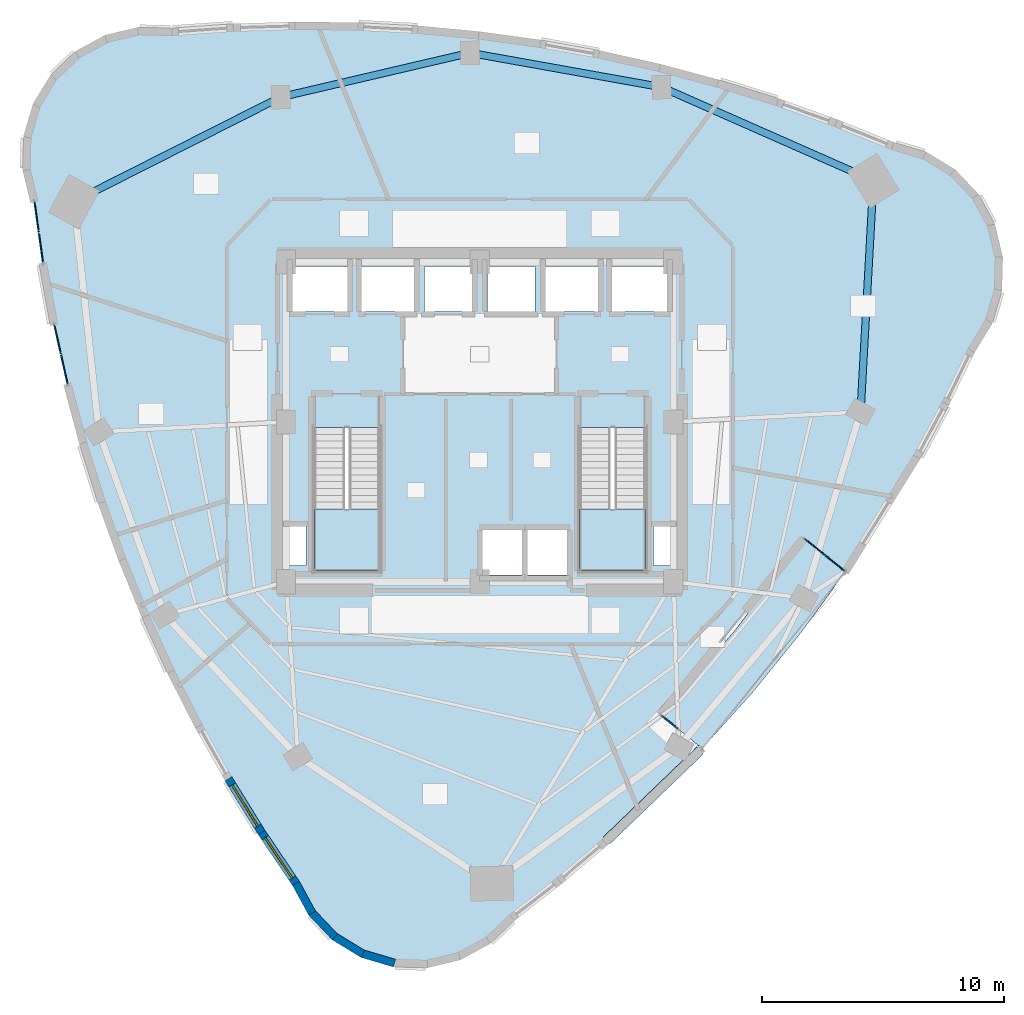
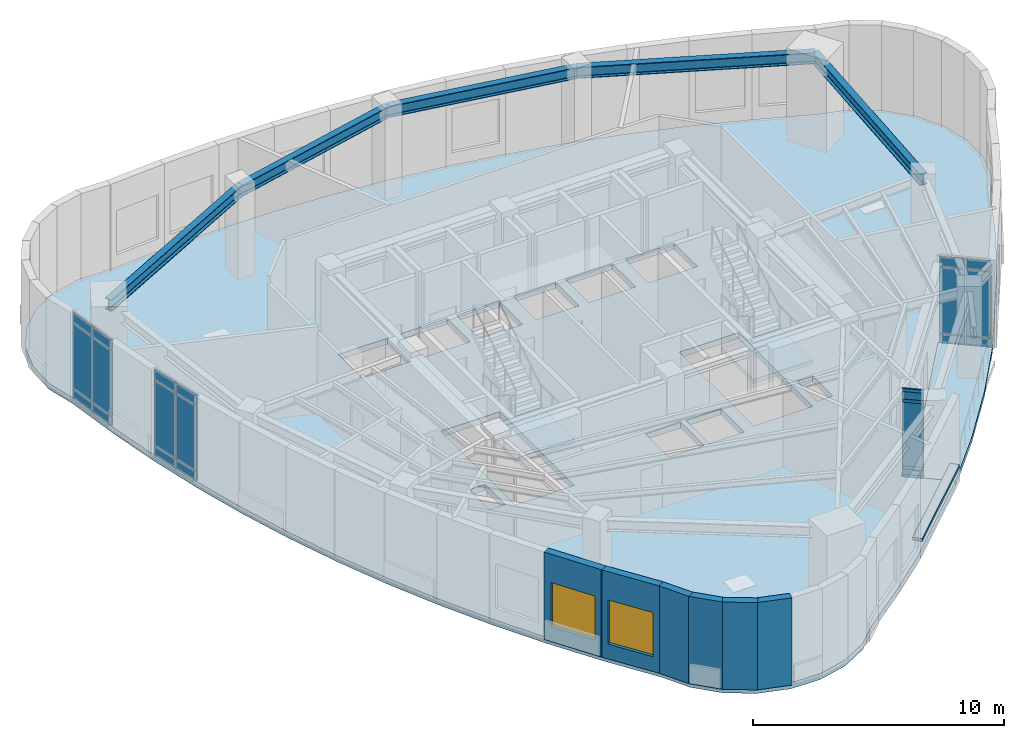
# One storey, part 7 of 14: 22 plates, 6 walls, 5 beams, 4 members, 4 slabs, 2 windows, 2 openings, 6 elements without a shape of their own.
"""IFC4 building model written with IfcOpenShell, lengths in metres."""

import ifcopenshell
import ifcopenshell.guid

model = None  # the IFC model being written
_history = None  # IfcOwnerHistory: only IFC2X3 demands one
_inside = {}  # id of a spatial element -> (the spatial element, [elements in it])
_under = {}  # id of a project, library or spatial element -> (it, [spatial elements below it])
_declared = {}  # id of a project -> (the project, [libraries it declares])
_typed = {}  # id of a type object -> (the type object, [elements of that type])
_made_of = {}  # id of a material, layer set ... -> (it, [elements and type objects made of it])


def new_model(schema):
    """Start an empty IFC model of exactly this schema.

    Asked for "IFC4X3", IfcOpenShell would pick the latest addendum, in which some entities
    have other attributes; the version numbers below select the first issue.
    IFC2X3 requires an IfcOwnerHistory on every rooted entity: one is made here for all.
    """
    global model, _history
    if schema == "IFC4X3":
        model = ifcopenshell.file(schema_version=(4, 3, 0, 0))
    else:
        model = ifcopenshell.file(schema=schema)
    _inside.clear()
    _under.clear()
    _declared.clear()
    _typed.clear()
    _made_of.clear()
    _history = None
    if model.schema == "IFC2X3":
        org = make("IfcOrganization", Name="unknown")
        user = make(
            "IfcPersonAndOrganization",
            ThePerson=make("IfcPerson", FamilyName="unknown"),
            TheOrganization=org,
        )
        app = make(
            "IfcApplication",
            ApplicationDeveloper=org,
            Version="unknown",
            ApplicationFullName="unknown",
            ApplicationIdentifier="unknown",
        )
        _history = make(
            "IfcOwnerHistory",
            OwningUser=user,
            OwningApplication=app,
            ChangeAction="ADDED",
            CreationDate=0,
        )
    return model


def make(cls, **values):
    """One entity of the class cls with the attributes given. An attribute that is None is left unset."""
    return model.create_entity(
        cls, **{name: value for name, value in values.items() if value is not None}
    )


def rooted(cls, **values):
    """An entity with a GlobalId (a new one), such as an element, a storey or a relation."""
    return make(cls, GlobalId=ifcopenshell.guid.new(), OwnerHistory=_history, **values)


def si_unit(unit_type, name, prefix=None):
    """IfcSIUnit, for example si_unit("LENGTHUNIT", "METRE", prefix="MILLI")."""
    return make("IfcSIUnit", UnitType=unit_type, Prefix=prefix, Name=name)


def assignment(units):
    """IfcUnitAssignment: the units of a project."""
    return None if units is None else make("IfcUnitAssignment", Units=units)


def point(xyz):
    """IfcCartesianPoint."""
    return None if xyz is None else make("IfcCartesianPoint", Coordinates=xyz)


def direction(xyz):
    """IfcDirection."""
    return None if xyz is None else make("IfcDirection", DirectionRatios=xyz)


def frame(location, z_axis=None, x_axis=None):
    """IfcAxis2Placement3D, a coordinate frame: its origin and axes. An axis left out is left unset."""
    return make(
        "IfcAxis2Placement3D",
        Location=point(location),
        Axis=direction(z_axis),
        RefDirection=direction(x_axis),
    )


def frame_2d(location, x_axis=None):
    """IfcAxis2Placement2D, a coordinate frame in the plane: its origin and x axis."""
    return make(
        "IfcAxis2Placement2D", Location=point(location), RefDirection=direction(x_axis)
    )


def origin():
    """The frame at (0, 0, 0) with its axes left unset."""
    return frame((0.0, 0.0, 0.0))


def origin_2d():
    """The frame at (0, 0) in the plane with its x axis left unset."""
    return frame_2d((0.0, 0.0))


def place(relative_to, where):
    """IfcLocalPlacement: puts the frame where relative to a parent placement (None: the world)."""
    return make(
        "IfcLocalPlacement", PlacementRelTo=relative_to, RelativePlacement=where
    )


def context(
    kind, dimensions, precision=None, world=None, true_north=None, identifier=None
):
    """IfcGeometricRepresentationContext, for example the 3D "Model" context."""
    return make(
        "IfcGeometricRepresentationContext",
        ContextIdentifier=identifier,
        ContextType=kind,
        CoordinateSpaceDimension=dimensions,
        Precision=precision,
        WorldCoordinateSystem=world,
        TrueNorth=true_north,
    )


def subcontext(parent, identifier, kind, view, scale=None):
    """IfcGeometricRepresentationSubContext, for example "Body" below "Model"."""
    return make(
        "IfcGeometricRepresentationSubContext",
        ContextIdentifier=identifier,
        ContextType=kind,
        ParentContext=parent,
        TargetScale=scale,
        TargetView=view,
    )


def project(units=None, contexts=None):
    """IfcProject with its units and contexts."""
    return rooted(
        "IfcProject",
        Name="project",
        RepresentationContexts=contexts,
        UnitsInContext=assignment(units),
    )


def spatial(cls, under=None, at=None, **own):
    """A site, building, storey or space (cls), placed at a placement, below another one or the project."""
    s = rooted(cls, ObjectPlacement=at, **own)
    if under is not None:
        _under.setdefault(under.id(), (under, []))[1].append(s)
    return s


def polyline(points):
    """IfcPolyline through the points."""
    return make("IfcPolyline", Points=[point(p) for p in points])


def profile(cls, at=None, kind="AREA", **sizes):
    """A parametric profile (cls). Its sizes go by their IFC names, for example OverallWidth=200.0."""
    return make(cls, ProfileType=kind, Position=at, **sizes)


def rectangle(**sizes):
    """IfcRectangleProfileDef."""
    return profile("IfcRectangleProfileDef", **sizes)


def hollow_rectangle(**sizes):
    """IfcRectangleHollowProfileDef."""
    return profile("IfcRectangleHollowProfileDef", **sizes)


def i_section(**sizes):
    """IfcIShapeProfileDef."""
    return profile("IfcIShapeProfileDef", **sizes)


def outline(outer, holes=None, kind="AREA"):
    """IfcArbitraryClosedProfileDef: a profile drawn as a closed curve; with holes, ...WithVoids."""
    if holes is None:
        return make("IfcArbitraryClosedProfileDef", ProfileType=kind, OuterCurve=outer)
    return make(
        "IfcArbitraryProfileDefWithVoids",
        ProfileType=kind,
        OuterCurve=outer,
        InnerCurves=holes,
    )


def extrude(swept, where, along, depth):
    """IfcExtrudedAreaSolid: the profile swept, set in the frame where, extruded along a direction by depth."""
    return make(
        "IfcExtrudedAreaSolid",
        SweptArea=swept,
        Position=where,
        ExtrudedDirection=direction(along),
        Depth=depth,
    )


def shape(context_of_items, identifier, shape_type, items):
    """IfcShapeRepresentation: the items that make up one representation, for example the "Body"."""
    return make(
        "IfcShapeRepresentation",
        ContextOfItems=context_of_items,
        RepresentationIdentifier=identifier,
        RepresentationType=shape_type,
        Items=items,
    )


def material(Name=None, Category=None):
    """IfcMaterial."""
    return make("IfcMaterial", Name=Name, Category=Category)


def layer(
    of_material, thickness, ventilated=None, Name=None, Category=None, Priority=None
):
    """IfcMaterialLayer: one layer of a wall or slab, of a material (None: an air gap)."""
    return make(
        "IfcMaterialLayer",
        Material=of_material,
        LayerThickness=thickness,
        IsVentilated=ventilated,
        Name=Name,
        Category=Category,
        Priority=Priority,
    )


def layer_set(layers, Name=None):
    """IfcMaterialLayerSet."""
    return make("IfcMaterialLayerSet", MaterialLayers=layers, LayerSetName=Name)


def material_profile(
    of_material, cross_section, Name=None, Category=None, Priority=None
):
    """IfcMaterialProfile: a cross section and its material."""
    return make(
        "IfcMaterialProfile",
        Name=Name,
        Material=of_material,
        Profile=cross_section,
        Priority=Priority,
        Category=Category,
    )


def profile_set(profiles, Name=None, composite=None):
    """IfcMaterialProfileSet."""
    return make(
        "IfcMaterialProfileSet",
        Name=Name,
        MaterialProfiles=profiles,
        CompositeProfile=composite,
    )


def made_of(thing, what):
    """Note that an element or type object is made of a material, layer set ...; save() writes the relation."""
    if what is not None:
        _made_of.setdefault(what.id(), (what, []))[1].append(thing)
    return thing


def type_object(cls, material=None, **own):
    """A type object (cls), such as IfcWallType, which elements share."""
    return made_of(rooted(cls, **own), material)


def element(
    cls,
    number,
    at=None,
    inside=None,
    cuts=None,
    type_object=None,
    material=None,
    context=None,
    identifier="Body",
    shape_type=None,
    held_by="IfcProductDefinitionShape",
    body=None,
    shapes=None,
    **own,
):
    """One element of the class cls, such as IfcWall. Its Tag is "e" and its number.

    at: its placement. inside: the storey or other place that contains it. cuts: it is an
    opening in that element (IfcRelVoidsElement). A single representation is given by context,
    identifier, shape_type and body (its items); several are given by shapes. held_by: the class
    of the entity that holds the representations. save() writes the other relations.
    """
    e = rooted(cls, Tag="e%d" % number, ObjectPlacement=at, **own)
    if body is not None:
        shapes = [shape(context, identifier, shape_type, body)]
    if shapes is not None:
        e.Representation = make(held_by, Representations=shapes)
    if inside is not None:
        _inside.setdefault(inside.id(), (inside, []))[1].append(e)
    if cuts is not None:
        rooted(
            "IfcRelVoidsElement", RelatingBuildingElement=cuts, RelatedOpeningElement=e
        )
    if type_object is not None:
        _typed.setdefault(type_object.id(), (type_object, []))[1].append(e)
    return made_of(e, material)


def fill(opening, filler):
    """IfcRelFillsElement: the door or window that sits in an opening."""
    return rooted(
        "IfcRelFillsElement",
        RelatingOpeningElement=opening,
        RelatedBuildingElement=filler,
    )


def aggregate(whole, parts):
    """IfcRelAggregates: a whole, such as a stair, and the parts it consists of."""
    return rooted("IfcRelAggregates", RelatingObject=whole, RelatedObjects=parts)


def save(model, path):
    """Write the relations noted so far, then the file.

    IfcRelAggregates (storeys below a building ...), IfcRelContainedInSpatialStructure (elements
    in a storey), IfcRelDefinesByType, IfcRelAssociatesMaterial and IfcRelDeclares: one each for
    every whole, place, type object, material and project.
    """
    for whole, parts in _under.values():
        aggregate(whole, parts)
    for where, things in _inside.values():
        rooted(
            "IfcRelContainedInSpatialStructure",
            RelatedElements=things,
            RelatingStructure=where,
        )
    for kind, things in _typed.values():
        rooted("IfcRelDefinesByType", RelatedObjects=things, RelatingType=kind)
    for what, things in _made_of.values():
        rooted("IfcRelAssociatesMaterial", RelatedObjects=things, RelatingMaterial=what)
    for by, libraries in _declared.values():
        rooted("IfcRelDeclares", RelatingContext=by, RelatedDefinitions=libraries)
    model.write(path)


model = new_model("IFC4")

# Units and contexts
model_context = context("Model", 3, precision=1e-05, world=origin(), true_north=direction((0.0, 1.0)))
body_context = subcontext(model_context, "Body", "Model", "MODEL_VIEW")
ifc_project = project(units=[si_unit("LENGTHUNIT", "METRE"), si_unit("AREAUNIT", "SQUARE_METRE"), si_unit("VOLUMEUNIT", "CUBIC_METRE"), si_unit("PLANEANGLEUNIT", "RADIAN"), si_unit("MASSUNIT", "GRAM", prefix="KILO")], contexts=[model_context])

# Site, building, storey
site_placement = place(None, origin())
site = spatial("IfcSite", under=ifc_project, at=site_placement, CompositionType="ELEMENT")
building_placement = place(site_placement, origin())
building = spatial("IfcBuilding", under=site, at=building_placement, Name="Ndelora Gate Hotel", CompositionType="ELEMENT")
storey_placement = place(building_placement, frame((0.0, 0.0, 178.25)))
storey = spatial("IfcBuildingStorey", under=building, at=storey_placement, Name="L44", CompositionType="ELEMENT", Elevation=178.25)

# Beams
ifc_material_1 = material(Name="Steel S355", Category="steel")
ifc_material_profile_1 = material_profile(ifc_material_1, i_section(OverallWidth=0.300048828125, OverallDepth=0.550048828125, WebThickness=0.014892578125, FlangeThickness=0.029052734375, FilletRadius=0.027099609375, at=origin_2d()), Name="HEB 550")
ifc_profile_set_1 = profile_set([ifc_material_profile_1], Name="Steel S355")
beam_type = type_object("IfcBeamType", Name="BM-RING-550", PredefinedType="SPANDREL", material=ifc_profile_set_1)
beam_1_placement = place(storey_placement, frame((15.72998046875, 0.411865234375, 3.97509765625), z_axis=(0.055426206248, 0.998462786318, 0.0), x_axis=(-0.998462786318, 0.055426206248, 0.0)))
element("IfcBeam", 1, at=beam_1_placement, inside=storey, type_object=beam_type, Name="L44 Perimeter Spandrel Girder 8", PredefinedType="SPANDREL", context=body_context, shape_type="SweptSolid", body=[
    extrude(i_section(OverallWidth=0.300048828125, OverallDepth=0.550048828125, WebThickness=0.014892578125, FlangeThickness=0.029052734375, FilletRadius=0.027099609375, at=origin_2d()), origin(), (0.0, 0.0, 1.0), 9.567138671875),
])
beam_2_placement = place(storey_placement, frame((16.26025390625, 9.96435546875, 3.97509765625), z_axis=(-0.914807449647, 0.403890245078, 0.0), x_axis=(-0.403890245078, -0.914807449647, 0.0)))
element("IfcBeam", 2, at=beam_2_placement, inside=storey, type_object=beam_type, Name="L44 Perimeter Spandrel Girder 9", PredefinedType="SPANDREL", context=body_context, shape_type="SweptSolid", body=[
    extrude(i_section(OverallWidth=0.300048828125, OverallDepth=0.550048828125, WebThickness=0.014892578125, FlangeThickness=0.029052734375, FilletRadius=0.027099609375, at=origin_2d()), origin(), (0.0, 0.0, 1.0), 9.56689453125),
])
for number, where, z_axis, x_axis, name in (
    (3, (7.50830078125, 13.828369140625, 3.97509765625), (-0.984373619655, 0.176092523767, 0.0), (-0.176092523767, -0.984373619655, 0.0), "L44 Perimeter Spandrel Girder 10"),
    (4, (-0.399169921875, 15.242919921875, 3.97509765625), (-0.973809142107, -0.227367004529, 0.0), (0.227367004529, -0.973809142107, 0.0), "L44 Perimeter Spandrel Girder 11"),
):
    element("IfcBeam", number, at=place(storey_placement, frame(where, z_axis=z_axis, x_axis=x_axis)), inside=storey, type_object=beam_type, Name=name, PredefinedType="SPANDREL", context=body_context, shape_type="SweptSolid", body=[
        extrude(i_section(OverallWidth=0.300048828125, OverallDepth=0.550048828125, WebThickness=0.014892578125, FlangeThickness=0.029052734375, FilletRadius=0.027099609375, at=origin_2d()), origin(), (0.0, 0.0, 1.0), 8.032958984375),
    ])
beam_3_placement = place(storey_placement, frame((-8.2216796875, 13.41650390625, 3.97509765625), z_axis=(-0.89241242978, -0.451220628045, 0.0), x_axis=(0.451220628045, -0.89241242978, 0.0)))
element("IfcBeam", 5, at=beam_3_placement, inside=storey, type_object=beam_type, Name="L44 Perimeter Spandrel Girder 12", PredefinedType="SPANDREL", context=body_context, shape_type="SweptSolid", body=[
    extrude(i_section(OverallWidth=0.300048828125, OverallDepth=0.550048828125, WebThickness=0.014892578125, FlangeThickness=0.029052734375, FilletRadius=0.027099609375, at=origin_2d()), origin(), (0.0, 0.0, 1.0), 9.567138671875),
])

# Curtain wall, members, plates
ifc_material_2 = material(Name="Bronze Anodised Unitised Aluminium and Low-E Glass", Category="aluminium")
ifc_layer_1 = layer(ifc_material_2, 0.199951171875)
ifc_layer_set_1 = layer_set([ifc_layer_1], Name="Bronze Anodised Unitised Aluminium and Low-E Glass")
curtain_wall_type_1 = type_object("IfcCurtainWallType", Name="CW-SYS-3", PredefinedType="NOTDEFINED", material=ifc_layer_set_1)
curtain_wall_1_placement = place(storey_placement, origin())
curtain_wall_1 = element("IfcCurtainWall", 6, at=curtain_wall_1_placement, inside=storey, type_object=curtain_wall_type_1, Name="L44 Sky-Garden Loggia Side Curtain Wall CW3-1", PredefinedType="NOTDEFINED")
ifc_material_3 = material(Name="Bronze Anodised Aluminium 6063-T6", Category="aluminium")
ifc_material_profile_2 = material_profile(ifc_material_3, hollow_rectangle(XDim=0.06494140625, YDim=0.159912109375, WallThickness=0.00390625, InnerFilletRadius=0.00390625, OuterFilletRadius=0.008056640625, at=origin_2d()), Name="ALU 160x65x4")
ifc_profile_set_2 = profile_set([ifc_material_profile_2], Name="Bronze Anodised Aluminium 6063-T6")
member_type = type_object("IfcMemberType", Name="MB-CW-TRN150", PredefinedType="USERDEFINED", material=ifc_profile_set_2)
member_1_placement = place(storey_placement, frame((7.525146484375, -12.141357421875, 0.032470703125), z_axis=(0.777004832302, -0.629494631096, 0.0), x_axis=(0.629494631096, 0.777004832302, 0.0)))
member_1 = element("IfcMember", 7, at=member_1_placement, type_object=member_type, Name="CW3 transom 1.1", ObjectType="TRANSOM", PredefinedType="USERDEFINED", context=body_context, shape_type="SweptSolid", body=[
    extrude(hollow_rectangle(XDim=0.06494140625, YDim=0.159912109375, WallThickness=0.00390625, InnerFilletRadius=0.00390625, OuterFilletRadius=0.008056640625, at=origin_2d()), origin(), (0.0, 0.0, 1.0), 0.8291015625),
])
member_2_placement = place(storey_placement, frame((7.525146484375, -12.141357421875, 0.449951171875), z_axis=(0.777004832302, -0.629494631096, 0.0), x_axis=(0.629494631096, 0.777004832302, 0.0)))
member_2 = element("IfcMember", 8, at=member_2_placement, type_object=member_type, Name="CW3 transom 1.2", ObjectType="TRANSOM", PredefinedType="USERDEFINED", context=body_context, shape_type="SweptSolid", body=[
    extrude(hollow_rectangle(XDim=0.06494140625, YDim=0.159912109375, WallThickness=0.00390625, InnerFilletRadius=0.00390625, OuterFilletRadius=0.008056640625, at=origin_2d()), origin(), (0.0, 0.0, 1.0), 0.8291015625),
])
member_3_placement = place(storey_placement, frame((7.525146484375, -12.141357421875, 3.699951171875), z_axis=(0.777004832302, -0.629494631096, 0.0), x_axis=(0.629494631096, 0.777004832302, 0.0)))
member_3 = element("IfcMember", 9, at=member_3_placement, type_object=member_type, Name="CW3 transom 1.3", ObjectType="TRANSOM", PredefinedType="USERDEFINED", context=body_context, shape_type="SweptSolid", body=[
    extrude(hollow_rectangle(XDim=0.06494140625, YDim=0.159912109375, WallThickness=0.00390625, InnerFilletRadius=0.00390625, OuterFilletRadius=0.008056640625, at=origin_2d()), origin(), (0.0, 0.0, 1.0), 0.8291015625),
])
member_4_placement = place(storey_placement, frame((7.525146484375, -12.141357421875, 4.217529296875), z_axis=(0.777004832302, -0.629494631096, 0.0), x_axis=(0.629494631096, 0.777004832302, 0.0)))
member_4 = element("IfcMember", 10, at=member_4_placement, type_object=member_type, Name="CW3 transom 1.4", ObjectType="TRANSOM", PredefinedType="USERDEFINED", context=body_context, shape_type="SweptSolid", body=[
    extrude(hollow_rectangle(XDim=0.06494140625, YDim=0.159912109375, WallThickness=0.00390625, InnerFilletRadius=0.00390625, OuterFilletRadius=0.008056640625, at=origin_2d()), origin(), (0.0, 0.0, 1.0), 0.8291015625),
])
ifc_material_4 = material(Name="Solar-Control Low-E Insulated Glazing", Category="glass")
ifc_layer_2 = layer(ifc_material_4, 0.048095703125)
ifc_layer_set_2 = layer_set([ifc_layer_2], Name="Solar-Control Low-E Insulated Glazing")
plate_type_1 = type_object("IfcPlateType", Name="PL-CW-GLZ36", PredefinedType="CURTAIN_PANEL", material=ifc_layer_set_2)
plate_1_placement = place(storey_placement, frame((7.84716796875, -12.40234375, 0.05908203125), z_axis=(0.0, 0.0, 1.0), x_axis=(0.777136681124, -0.629331851134, 0.0)))
plate_1 = element("IfcPlate", 11, at=plate_1_placement, type_object=plate_type_1, Name="CW3 panel 1.1", PredefinedType="CURTAIN_PANEL", context=body_context, shape_type="SweptSolid", body=[
    extrude(rectangle(XDim=0.8291015625, YDim=0.048095703125, at=origin_2d()), origin(), (0.0, 0.0, 1.0), 0.364501953125),
])
plate_2_placement = place(storey_placement, frame((7.84716796875, -12.40234375, 0.4765625), z_axis=(0.0, 0.0, 1.0), x_axis=(0.777136681124, -0.629331851134, 0.0)))
plate_2 = element("IfcPlate", 12, at=plate_2_placement, type_object=plate_type_1, Name="CW3 panel 1.2", PredefinedType="CURTAIN_PANEL", context=body_context, shape_type="SweptSolid", body=[
    extrude(rectangle(XDim=0.8291015625, YDim=0.048095703125, at=origin_2d()), origin(), (0.0, 0.0, 1.0), 3.197021484375),
])
plate_3_placement = place(storey_placement, frame((7.84716796875, -12.40234375, 3.7265625), z_axis=(0.0, 0.0, 1.0), x_axis=(0.777136681124, -0.629331851134, 0.0)))
plate_3 = element("IfcPlate", 13, at=plate_3_placement, type_object=plate_type_1, Name="CW3 panel 1.3", PredefinedType="CURTAIN_PANEL", context=body_context, shape_type="SweptSolid", body=[
    extrude(rectangle(XDim=0.8291015625, YDim=0.048095703125, at=origin_2d()), origin(), (0.0, 0.0, 1.0), 0.464599609375),
])
aggregate(curtain_wall_1, [member_1, member_2, member_3, member_4, plate_1, plate_2, plate_3])

# Curtain wall, plates
curtain_wall_2_placement = place(storey_placement, origin())
curtain_wall_2 = element("IfcCurtainWall", 14, at=curtain_wall_2_placement, inside=storey, type_object=curtain_wall_type_1, Name="L44 Sky-Garden Loggia Side Curtain Wall CW3-2", PredefinedType="NOTDEFINED")
plate_4_placement = place(storey_placement, frame((14.66455078125, -5.8271484375, 0.05908203125), z_axis=(0.0, 0.0, 1.0), x_axis=(-0.77714324074, 0.629323750841, 0.0)))
plate_4 = element("IfcPlate", 15, at=plate_4_placement, type_object=plate_type_1, Name="CW3 panel 1.1", PredefinedType="CURTAIN_PANEL", context=body_context, shape_type="SweptSolid", body=[
    extrude(rectangle(XDim=1.014404296875, YDim=0.048095703125, at=origin_2d()), origin(), (0.0, 0.0, 1.0), 0.364501953125),
])
plate_5_placement = place(storey_placement, frame((14.66455078125, -5.8271484375, 0.4765625), z_axis=(0.0, 0.0, 1.0), x_axis=(-0.77714324074, 0.629323750841, 0.0)))
plate_5 = element("IfcPlate", 16, at=plate_5_placement, type_object=plate_type_1, Name="CW3 panel 1.2", PredefinedType="CURTAIN_PANEL", context=body_context, shape_type="SweptSolid", body=[
    extrude(rectangle(XDim=1.014404296875, YDim=0.048095703125, at=origin_2d()), origin(), (0.0, 0.0, 1.0), 3.197021484375),
])
plate_6_placement = place(storey_placement, frame((14.66455078125, -5.8271484375, 3.7265625), z_axis=(0.0, 0.0, 1.0), x_axis=(-0.77714324074, 0.629323750841, 0.0)))
plate_6 = element("IfcPlate", 17, at=plate_6_placement, type_object=plate_type_1, Name="CW3 panel 1.3", PredefinedType="CURTAIN_PANEL", context=body_context, shape_type="SweptSolid", body=[
    extrude(rectangle(XDim=1.014404296875, YDim=0.048095703125, at=origin_2d()), origin(), (0.0, 0.0, 1.0), 0.464599609375),
])
plate_7_placement = place(storey_placement, frame((13.8349609375, -5.155517578125, 0.05908203125), z_axis=(0.0, 0.0, 1.0), x_axis=(-0.77714324074, 0.629323750841, 0.0)))
plate_7 = element("IfcPlate", 18, at=plate_7_placement, type_object=plate_type_1, Name="CW3 panel 2.1", PredefinedType="CURTAIN_PANEL", context=body_context, shape_type="SweptSolid", body=[
    extrude(rectangle(XDim=1.014404296875, YDim=0.048095703125, at=origin_2d()), origin(), (0.0, 0.0, 1.0), 0.364501953125),
])
plate_8_placement = place(storey_placement, frame((13.8349609375, -5.155517578125, 0.4765625), z_axis=(0.0, 0.0, 1.0), x_axis=(-0.77714324074, 0.629323750841, 0.0)))
plate_8 = element("IfcPlate", 19, at=plate_8_placement, type_object=plate_type_1, Name="CW3 panel 2.2", PredefinedType="CURTAIN_PANEL", context=body_context, shape_type="SweptSolid", body=[
    extrude(rectangle(XDim=1.014404296875, YDim=0.048095703125, at=origin_2d()), origin(), (0.0, 0.0, 1.0), 3.197021484375),
])
plate_9_placement = place(storey_placement, frame((13.8349609375, -5.155517578125, 3.7265625), z_axis=(0.0, 0.0, 1.0), x_axis=(-0.77714324074, 0.629323750841, 0.0)))
plate_9 = element("IfcPlate", 20, at=plate_9_placement, type_object=plate_type_1, Name="CW3 panel 2.3", PredefinedType="CURTAIN_PANEL", context=body_context, shape_type="SweptSolid", body=[
    extrude(rectangle(XDim=1.014404296875, YDim=0.048095703125, at=origin_2d()), origin(), (0.0, 0.0, 1.0), 0.464599609375),
])
aggregate(curtain_wall_2, [plate_4, plate_5, plate_6, plate_7, plate_8, plate_9])

ifc_layer_3 = layer(ifc_material_2, 0.2099609375)
ifc_layer_set_3 = layer_set([ifc_layer_3], Name="Bronze Anodised Unitised Aluminium and Low-E Glass")
curtain_wall_type_2 = type_object("IfcCurtainWallType", Name="CW-SYS-5", PredefinedType="NOTDEFINED", material=ifc_layer_set_3)
curtain_wall_3_placement = place(storey_placement, origin())
curtain_wall_3 = element("IfcCurtainWall", 21, at=curtain_wall_3_placement, inside=storey, type_object=curtain_wall_type_2, Name="L44 Upper Sky-Lobby & Altitude Fitness Curtain Wall 1", PredefinedType="NOTDEFINED")
plate_10_placement = place(storey_placement, frame((-18.30810546875, 8.459228515625, 0.05908203125), z_axis=(0.0, 0.0, 1.0), x_axis=(0.13925833792, -0.990256085727, 0.0)))
plate_10 = element("IfcPlate", 22, at=plate_10_placement, type_object=plate_type_1, Name="CW5 panel 1.1", PredefinedType="CURTAIN_PANEL", context=body_context, shape_type="SweptSolid", body=[
    extrude(rectangle(XDim=1.225341796875, YDim=0.048095703125, at=origin_2d()), origin(), (0.0, 0.0, 1.0), 0.41455078125),
])
plate_11_placement = place(storey_placement, frame((-18.30810546875, 8.459228515625, 0.526611328125), z_axis=(0.0, 0.0, 1.0), x_axis=(0.13925833792, -0.990256085727, 0.0)))
plate_11 = element("IfcPlate", 23, at=plate_11_placement, type_object=plate_type_1, Name="CW5 panel 1.2", PredefinedType="CURTAIN_PANEL", context=body_context, shape_type="SweptSolid", body=[
    extrude(rectangle(XDim=1.225341796875, YDim=0.048095703125, at=origin_2d()), origin(), (0.0, 0.0, 1.0), 3.14697265625),
])
plate_12_placement = place(storey_placement, frame((-18.30810546875, 8.459228515625, 3.7265625), z_axis=(0.0, 0.0, 1.0), x_axis=(0.13925833792, -0.990256085727, 0.0)))
plate_12 = element("IfcPlate", 24, at=plate_12_placement, type_object=plate_type_1, Name="CW5 panel 1.3", PredefinedType="CURTAIN_PANEL", context=body_context, shape_type="SweptSolid", body=[
    extrude(rectangle(XDim=1.225341796875, YDim=0.048095703125, at=origin_2d()), origin(), (0.0, 0.0, 1.0), 0.464599609375),
])
plate_13_placement = place(storey_placement, frame((-18.130126953125, 7.193359375, 0.05908203125), z_axis=(0.0, 0.0, 1.0), x_axis=(0.13925833792, -0.990256085727, 0.0)))
plate_13 = element("IfcPlate", 25, at=plate_13_placement, type_object=plate_type_1, Name="CW5 panel 2.1", PredefinedType="CURTAIN_PANEL", context=body_context, shape_type="SweptSolid", body=[
    extrude(rectangle(XDim=1.225341796875, YDim=0.048095703125, at=origin_2d()), origin(), (0.0, 0.0, 1.0), 0.41455078125),
])
plate_14_placement = place(storey_placement, frame((-18.130126953125, 7.193359375, 0.526611328125), z_axis=(0.0, 0.0, 1.0), x_axis=(0.13925833792, -0.990256085727, 0.0)))
plate_14 = element("IfcPlate", 26, at=plate_14_placement, type_object=plate_type_1, Name="CW5 panel 2.2", PredefinedType="CURTAIN_PANEL", context=body_context, shape_type="SweptSolid", body=[
    extrude(rectangle(XDim=1.225341796875, YDim=0.048095703125, at=origin_2d()), origin(), (0.0, 0.0, 1.0), 3.14697265625),
])
plate_15_placement = place(storey_placement, frame((-18.130126953125, 7.193359375, 3.7265625), z_axis=(0.0, 0.0, 1.0), x_axis=(0.13925833792, -0.990256085727, 0.0)))
plate_15 = element("IfcPlate", 27, at=plate_15_placement, type_object=plate_type_1, Name="CW5 panel 2.3", PredefinedType="CURTAIN_PANEL", context=body_context, shape_type="SweptSolid", body=[
    extrude(rectangle(XDim=1.225341796875, YDim=0.048095703125, at=origin_2d()), origin(), (0.0, 0.0, 1.0), 0.464599609375),
])
aggregate(curtain_wall_3, [plate_10, plate_11, plate_12, plate_13, plate_14, plate_15])

curtain_wall_4_placement = place(storey_placement, origin())
curtain_wall_4 = element("IfcCurtainWall", 28, at=curtain_wall_4_placement, inside=storey, type_object=curtain_wall_type_2, Name="L44 Upper Sky-Lobby & Altitude Fitness Curtain Wall 2", PredefinedType="NOTDEFINED")
plate_16_placement = place(storey_placement, frame((-17.44091796875, 3.40283203125, 0.05908203125), z_axis=(0.0, 0.0, 1.0), x_axis=(0.218939031323, -0.975738541087, 0.0)))
plate_16 = element("IfcPlate", 29, at=plate_16_placement, type_object=plate_type_1, Name="CW5 panel 1.1", PredefinedType="CURTAIN_PANEL", context=body_context, shape_type="SweptSolid", body=[
    extrude(rectangle(XDim=1.205810546875, YDim=0.048095703125, at=origin_2d()), origin(), (0.0, 0.0, 1.0), 0.41455078125),
])
plate_17_placement = place(storey_placement, frame((-17.44091796875, 3.40283203125, 0.526611328125), z_axis=(0.0, 0.0, 1.0), x_axis=(0.218939031323, -0.975738541087, 0.0)))
plate_17 = element("IfcPlate", 30, at=plate_17_placement, type_object=plate_type_1, Name="CW5 panel 1.2", PredefinedType="CURTAIN_PANEL", context=body_context, shape_type="SweptSolid", body=[
    extrude(rectangle(XDim=1.205810546875, YDim=0.048095703125, at=origin_2d()), origin(), (0.0, 0.0, 1.0), 3.14697265625),
])
plate_18_placement = place(storey_placement, frame((-17.44091796875, 3.40283203125, 3.7265625), z_axis=(0.0, 0.0, 1.0), x_axis=(0.218939031323, -0.975738541087, 0.0)))
plate_18 = element("IfcPlate", 31, at=plate_18_placement, type_object=plate_type_1, Name="CW5 panel 1.3", PredefinedType="CURTAIN_PANEL", context=body_context, shape_type="SweptSolid", body=[
    extrude(rectangle(XDim=1.205810546875, YDim=0.048095703125, at=origin_2d()), origin(), (0.0, 0.0, 1.0), 0.464599609375),
])
plate_19_placement = place(storey_placement, frame((-17.165283203125, 2.1748046875, 0.05908203125), z_axis=(0.0, 0.0, 1.0), x_axis=(0.218939031323, -0.975738541087, 0.0)))
plate_19 = element("IfcPlate", 32, at=plate_19_placement, type_object=plate_type_1, Name="CW5 panel 2.1", PredefinedType="CURTAIN_PANEL", context=body_context, shape_type="SweptSolid", body=[
    extrude(rectangle(XDim=1.205810546875, YDim=0.048095703125, at=origin_2d()), origin(), (0.0, 0.0, 1.0), 0.41455078125),
])
plate_20_placement = place(storey_placement, frame((-17.165283203125, 2.1748046875, 0.526611328125), z_axis=(0.0, 0.0, 1.0), x_axis=(0.218939031323, -0.975738541087, 0.0)))
plate_20 = element("IfcPlate", 33, at=plate_20_placement, type_object=plate_type_1, Name="CW5 panel 2.2", PredefinedType="CURTAIN_PANEL", context=body_context, shape_type="SweptSolid", body=[
    extrude(rectangle(XDim=1.205810546875, YDim=0.048095703125, at=origin_2d()), origin(), (0.0, 0.0, 1.0), 3.14697265625),
])
plate_21_placement = place(storey_placement, frame((-17.165283203125, 2.1748046875, 3.7265625), z_axis=(0.0, 0.0, 1.0), x_axis=(0.218939031323, -0.975738541087, 0.0)))
plate_21 = element("IfcPlate", 34, at=plate_21_placement, type_object=plate_type_1, Name="CW5 panel 2.3", PredefinedType="CURTAIN_PANEL", context=body_context, shape_type="SweptSolid", body=[
    extrude(rectangle(XDim=1.205810546875, YDim=0.048095703125, at=origin_2d()), origin(), (0.0, 0.0, 1.0), 0.464599609375),
])
aggregate(curtain_wall_4, [plate_16, plate_17, plate_18, plate_19, plate_20, plate_21])

# Plate
ifc_material_5 = material(Name="Precast concrete C40/50", Category="concrete")
ifc_layer_4 = layer(ifc_material_5, 0.125)
ifc_layer_set_4 = layer_set([ifc_layer_4], Name="Precast concrete C40/50")
plate_type_2 = type_object("IfcPlateType", Name="PL-SILL-120", PredefinedType="USERDEFINED", material=ifc_layer_set_4)
plate_22_placement = place(storey_placement, frame((7.16845703125, -15.43212890625, 0.78759765625), z_axis=(0.0, 0.0, 1.0), x_axis=(0.720672122155, 0.693276057822, 0.0)))
element("IfcPlate", 35, at=plate_22_placement, inside=storey, type_object=plate_type_2, Name="L44 Streamline Precast Ribbon Sill 31", ObjectType="RIBBON_SILL", PredefinedType="USERDEFINED", context=body_context, shape_type="SweptSolid", body=[
    extrude(rectangle(XDim=5.35693359375, YDim=0.39990234375, at=origin_2d()), origin(), (0.0, 0.0, 1.0), 0.125),
])

# Stair, slab
stair_type = type_object("IfcStairType", Name="STR-DOG-CORE", PredefinedType="HALF_TURN_STAIR", material=ifc_material_5)
stair_1_placement = place(storey_placement, origin())
stair_1 = element("IfcStair", 36, at=stair_1_placement, inside=storey, type_object=stair_type, Name="L44 Protected Core Exit Stair ST4", PredefinedType="HALF_TURN_STAIR")
ifc_layer_5 = layer(ifc_material_5, 0.219970703125)
ifc_layer_set_5 = layer_set([ifc_layer_5], Name="Precast concrete C40/50")
slab_type_1 = type_object("IfcSlabType", Name="SL-LAND-220", PredefinedType="LANDING", material=ifc_layer_set_5)
slab_1_placement = place(storey_placement, frame((0.0, 0.0, 2.050048828125)))
slab_1 = element("IfcSlab", 37, at=slab_1_placement, type_object=slab_type_1, Name="ST4 landing 1", PredefinedType="LANDING", context=body_context, shape_type="SweptSolid", body=[
    extrude(outline(polyline([(-6.85009765625, -3.590087890625), (-6.85009765625, -6.14990234375), (-4.1298828125, -6.14990234375), (-4.1298828125, -3.590087890625), (-6.85009765625, -3.590087890625)])), origin(), (0.0, 0.0, 1.0), 0.199951171875),
])
aggregate(stair_1, [slab_1])

stair_2_placement = place(storey_placement, origin())
stair_2 = element("IfcStair", 38, at=stair_2_placement, inside=storey, type_object=stair_type, Name="L44 Protected Core Exit Stair ST5", PredefinedType="HALF_TURN_STAIR")
slab_2_placement = place(storey_placement, frame((0.0, 0.0, 2.050048828125)))
slab_2 = element("IfcSlab", 39, at=slab_2_placement, type_object=slab_type_1, Name="ST5 landing 1", PredefinedType="LANDING", context=body_context, shape_type="SweptSolid", body=[
    extrude(outline(polyline([(4.1298828125, -3.590087890625), (4.1298828125, -6.14990234375), (6.85009765625, -6.14990234375), (6.85009765625, -3.590087890625), (4.1298828125, -3.590087890625)])), origin(), (0.0, 0.0, 1.0), 0.199951171875),
])
aggregate(stair_2, [slab_2])

# Slabs
ifc_material_6 = material(Name="Concrete C50/60", Category="concrete")
ifc_layer_6 = layer(ifc_material_6, 0.2900390625)
ifc_layer_set_6 = layer_set([ifc_layer_6], Name="Concrete C50/60")
slab_type_2 = type_object("IfcSlabType", Name="SL-SKY-290", PredefinedType="FLOOR", material=ifc_layer_set_6)
slab_3_placement = place(storey_placement, frame((0.0, 0.0, -0.2900390625)))
element("IfcSlab", 40, at=slab_3_placement, inside=storey, type_object=slab_type_2, Name="L44 Structural Floor Slab", PredefinedType="FLOOR", context=body_context, shape_type="SweptSolid", body=[
    extrude(outline(polyline([(-12.73095703125, 16.10400390625), (-14.087890625, 16.139404296875), (-15.40771484375, 15.822509765625), (-16.600830078125, 15.1748046875), (-17.58544921875, 14.240478515625), (-18.294921875, 13.0830078125), (-18.680419921875, 11.781494140625), (-18.7158203125, 10.42431640625), (-18.39892578125, 9.1044921875), (-18.039306640625, 6.5478515625), (-17.581298828125, 4.029296875), (-17.02490234375, 1.54833984375), (-16.36962890625, -0.894775390625), (-15.615966796875, -3.2998046875), (-14.763916015625, -5.667236328125), (-13.81298828125, -7.996826171875), (-12.763671875, -10.28857421875), (-11.61572265625, -12.54248046875), (-10.369384765625, -14.758544921875), (-9.0244140625, -16.936767578125), (-7.5810546875, -19.0771484375), (-6.933349609375, -20.270263671875), (-5.998779296875, -21.2548828125), (-4.84130859375, -21.964111328125), (-3.539794921875, -22.349609375), (-2.182861328125, -22.38525390625), (-0.86279296875, -22.068359375), (0.330078125, -21.420654296875), (1.314697265625, -20.486083984375), (3.269287109375, -18.96142578125), (5.148193359375, -17.37548828125), (9.18896484375, -13.48876953125), (7.479248046875, -12.104248046875), (10.580078125, -8.567626953125), (13.394775390625, -4.799072265625), (15.1044921875, -6.18359375), (18.066162109375, -1.423095703125), (19.226806640625, 0.744384765625), (20.31201171875, 2.973388671875), (21.02099609375, 4.130615234375), (21.40673828125, 5.432373046875), (21.442138671875, 6.789306640625), (21.125244140625, 8.109375), (20.4775390625, 9.30224609375), (19.543212890625, 10.286865234375), (18.3857421875, 10.99609375), (17.084228515625, 11.381591796875), (14.6904296875, 12.3486328125), (12.280029296875, 13.211181640625), (9.853271484375, 13.9697265625), (7.409912109375, 14.623779296875), (4.9501953125, 15.173828125), (2.473876953125, 15.619384765625), (-0.01904296875, 15.960693359375), (-2.5283203125, 16.197998046875), (-5.05419921875, 16.330810546875), (-7.5966796875, 16.359619140625), (-10.155517578125, 16.28369140625), (-12.73095703125, 16.10400390625)]), holes=[polyline([(-6.85009765625, -0.22998046875), (-6.85009765625, -6.14990234375), (-4.1298828125, -6.14990234375), (-4.1298828125, -0.22998046875), (-6.85009765625, -0.22998046875)]), polyline([(4.1298828125, -0.22998046875), (4.1298828125, -6.14990234375), (6.85009765625, -6.14990234375), (6.85009765625, -0.22998046875), (4.1298828125, -0.22998046875)]), polyline([(-7.72998046875, 4.570068359375), (-5.469970703125, 4.570068359375), (-5.469970703125, 6.429931640625), (-7.72998046875, 6.429931640625), (-7.72998046875, 4.570068359375)]), polyline([(5.469970703125, 4.570068359375), (7.72998046875, 4.570068359375), (7.72998046875, 6.429931640625), (5.469970703125, 6.429931640625), (5.469970703125, 4.570068359375)]), polyline([(-4.8798828125, 4.570068359375), (-2.719970703125, 4.570068359375), (-2.719970703125, 6.429931640625), (-4.8798828125, 6.429931640625), (-4.8798828125, 4.570068359375)]), polyline([(2.719970703125, 4.570068359375), (4.8798828125, 4.570068359375), (4.8798828125, 6.429931640625), (2.719970703125, 6.429931640625), (2.719970703125, 4.570068359375)]), polyline([(0.1201171875, -6.330078125), (1.739990234375, -6.330078125), (1.739990234375, -4.469970703125), (0.1201171875, -4.469970703125), (0.1201171875, -6.330078125)]), polyline([(1.97998046875, -6.330078125), (3.60009765625, -6.330078125), (3.60009765625, -4.469970703125), (1.97998046875, -4.469970703125), (1.97998046875, -6.330078125)]), polyline([(-2.280029296875, 4.570068359375), (-0.320068359375, 4.570068359375), (-0.320068359375, 6.429931640625), (-2.280029296875, 6.429931640625), (-2.280029296875, 4.570068359375)]), polyline([(0.320068359375, 4.570068359375), (2.280029296875, 4.570068359375), (2.280029296875, 6.429931640625), (0.320068359375, 6.429931640625), (0.320068359375, 4.570068359375)]), polyline([(-7.89990234375, -5.919921875), (-7.179931640625, -5.919921875), (-7.179931640625, -4.320068359375), (-7.89990234375, -4.320068359375), (-7.89990234375, -5.919921875)]), polyline([(7.179931640625, -5.919921875), (7.89990234375, -5.919921875), (7.89990234375, -4.320068359375), (7.179931640625, -4.320068359375), (7.179931640625, -5.919921875)])]), origin(), (0.0, 0.0, 1.0), 0.2900390625),
])
ifc_layer_7 = layer(ifc_material_5, 0.239990234375)
ifc_layer_set_7 = layer_set([ifc_layer_7], Name="Precast concrete C40/50")
slab_type_3 = type_object("IfcSlabType", Name="SL-TER-240", PredefinedType="FLOOR", material=ifc_layer_set_7)
slab_4_placement = place(storey_placement, frame((0.0, 0.0, -0.239990234375)))
element("IfcSlab", 41, at=slab_4_placement, inside=storey, type_object=slab_type_3, Name="L44 Sky Garden Loggia Terrace Slab", PredefinedType="FLOOR", context=body_context, shape_type="SweptSolid", body=[
    extrude(outline(polyline([(7.479248046875, -12.104248046875), (9.18896484375, -13.48876953125), (11.267578125, -11.1806640625), (13.279052734375, -8.697021484375), (15.1044921875, -6.18359375), (13.394775390625, -4.799072265625), (10.580078125, -8.567626953125), (7.479248046875, -12.104248046875)])), origin(), (0.0, 0.0, 1.0), 0.239990234375),
])

# Wall, opening, window
ifc_material_7 = material(Name="Clay Brick Masonry", Category="masonry")
ifc_layer_8 = layer(ifc_material_7, 0.330078125)
ifc_layer_set_8 = layer_set([ifc_layer_8], Name="Clay Brick Masonry")
wall_type = type_object("IfcWallType", Name="WL-BRICK-330", PredefinedType="SOLIDWALL", material=ifc_layer_set_8)
wall_1_placement = place(storey_placement, frame((-9.011474609375, -16.9580078125, 0.0), z_axis=(0.0, 0.0, 1.0), x_axis=(-0.52534948034, 0.85088655149, 0.0)))
wall_1 = element("IfcWall", 42, at=wall_1_placement, inside=storey, type_object=wall_type, Name="L44 Tower Brick Pier-and-Spandrel Wall TWR-19", PredefinedType="SOLIDWALL", context=body_context, shape_type="SweptSolid", body=[
    extrude(rectangle(XDim=2.60986328125, YDim=0.330078125, at=frame_2d((1.304931640625, 0.0))), origin(), (0.0, 0.0, 1.0), 4.25),
])
opening_1_placement = place(wall_1_placement, frame((0.304931640625, 0.0, 0.719970703125)))
opening_1 = element("IfcOpeningElement", 43, at=opening_1_placement, cuts=wall_1, Name="Opening W05", PredefinedType="OPENING", context=body_context, shape_type="SweptSolid", body=[
    extrude(rectangle(XDim=2.0, YDim=2.14990234375, at=frame_2d((1.0, 1.074951171875))), frame((0.0, 0.175048828125, 0.0), z_axis=(0.0, -1.0, 0.0), x_axis=(1.0, 0.0, 0.0)), (0.0, 0.0, 1.0), 0.35009765625),
])
ifc_material_8 = material(Name="Insulated Low-E Double Glazing in Bronze Aluminium Frame", Category="aluminium")
window_type = type_object("IfcWindowType", Name="WN-SKY-2000", PartitioningType="SINGLE_PANEL", PredefinedType="WINDOW", material=ifc_material_8)
window_1_placement = place(opening_1_placement, origin())
window_1 = element("IfcWindow", 44, at=window_1_placement, inside=storey, type_object=window_type, Name="L44 Deep-Set Brick-Pier Window W05", OverallHeight=2.14990234375, OverallWidth=2.0, PartitioningType="SINGLE_PANEL", PredefinedType="WINDOW", context=body_context, shape_type="SweptSolid", body=[
    extrude(rectangle(XDim=2.0, YDim=2.14990234375, at=frame_2d((1.0, 1.074951171875))), frame((0.0, 0.030029296875, 0.0), z_axis=(0.0, -1.0, 0.0), x_axis=(1.0, 0.0, 0.0)), (0.0, 0.0, 1.0), 0.06005859375),
])
fill(opening_1, window_1)

wall_2_placement = place(storey_placement, frame((-7.56689453125, -19.097900390625, 0.0), z_axis=(0.0, 0.0, 1.0), x_axis=(-0.559187636115, 0.829041125407, 0.0)))
wall_2 = element("IfcWall", 45, at=wall_2_placement, inside=storey, type_object=wall_type, Name="L44 Tower Brick Pier-and-Spandrel Wall TWR-20", PredefinedType="SOLIDWALL", context=body_context, shape_type="SweptSolid", body=[
    extrude(rectangle(XDim=2.6318359375, YDim=0.330078125, at=frame_2d((1.31591796875, 0.0))), origin(), (0.0, 0.0, 1.0), 4.25),
])
opening_2_placement = place(wall_2_placement, frame((0.31591796875, 0.0, 0.719970703125)))
opening_2 = element("IfcOpeningElement", 46, at=opening_2_placement, cuts=wall_2, Name="Opening W05", PredefinedType="OPENING", context=body_context, shape_type="SweptSolid", body=[
    extrude(rectangle(XDim=2.0, YDim=2.14990234375, at=frame_2d((1.0, 1.074951171875))), frame((0.0, 0.175048828125, 0.0), z_axis=(0.0, -1.0, 0.0), x_axis=(1.0, 0.0, 0.0)), (0.0, 0.0, 1.0), 0.35009765625),
])
window_2_placement = place(opening_2_placement, origin())
window_2 = element("IfcWindow", 47, at=window_2_placement, inside=storey, type_object=window_type, Name="L44 Deep-Set Brick-Pier Window W05", OverallHeight=2.14990234375, OverallWidth=2.0, PartitioningType="SINGLE_PANEL", PredefinedType="WINDOW", context=body_context, shape_type="SweptSolid", body=[
    extrude(rectangle(XDim=2.0, YDim=2.14990234375, at=frame_2d((1.0, 1.074951171875))), frame((0.0, 0.030029296875, 0.0), z_axis=(0.0, -1.0, 0.0), x_axis=(1.0, 0.0, 0.0)), (0.0, 0.0, 1.0), 0.06005859375),
])
fill(opening_2, window_2)

# Walls
wall_3_placement = place(storey_placement, frame((-6.92138671875, -20.292236328125, 0.0), z_axis=(0.0, 0.0, 1.0), x_axis=(-0.477137792558, 0.878828496871, 0.0)))
element("IfcWall", 48, at=wall_3_placement, inside=storey, type_object=wall_type, Name="L44 Tower Brick Pier-and-Spandrel Wall TWR-21", PredefinedType="SOLIDWALL", context=body_context, shape_type="SweptSolid", body=[
    extrude(rectangle(XDim=1.40771484375, YDim=0.330078125, at=frame_2d((0.703857421875, 0.0))), origin(), (0.0, 0.0, 1.0), 4.25),
])
wall_4_placement = place(storey_placement, frame((-5.981689453125, -21.27294921875, 0.0), z_axis=(0.0, 0.0, 1.0), x_axis=(-0.688389184298, 0.725341527104, 0.0)))
element("IfcWall", 49, at=wall_4_placement, inside=storey, type_object=wall_type, Name="L44 Tower Brick Pier-and-Spandrel Wall TWR-22", PredefinedType="SOLIDWALL", context=body_context, shape_type="SweptSolid", body=[
    extrude(rectangle(XDim=1.4072265625, YDim=0.330078125, at=frame_2d((0.70361328125, 0.0))), origin(), (0.0, 0.0, 1.0), 4.25),
])
wall_5_placement = place(storey_placement, frame((-4.820068359375, -21.977294921875, 0.0), z_axis=(0.0, 0.0, 1.0), x_axis=(-0.852603745029, 0.522557991004, 0.0)))
element("IfcWall", 50, at=wall_5_placement, inside=storey, type_object=wall_type, Name="L44 Tower Brick Pier-and-Spandrel Wall TWR-23", PredefinedType="SOLIDWALL", context=body_context, shape_type="SweptSolid", body=[
    extrude(rectangle(XDim=1.40771484375, YDim=0.330078125, at=frame_2d((0.703857421875, 0.0))), origin(), (0.0, 0.0, 1.0), 4.25),
])
wall_6_placement = place(storey_placement, frame((-3.515869140625, -22.356689453125, 0.0), z_axis=(0.0, 0.0, 1.0), x_axis=(-0.95884184708, 0.283940684455, 0.0)))
element("IfcWall", 51, at=wall_6_placement, inside=storey, type_object=wall_type, Name="L44 Tower Brick Pier-and-Spandrel Wall TWR-24", PredefinedType="SOLIDWALL", context=body_context, shape_type="SweptSolid", body=[
    extrude(rectangle(XDim=1.407470703125, YDim=0.330078125, at=frame_2d((0.70361328125, 0.0))), origin(), (0.0, 0.0, 1.0), 4.25),
])

save(model, "model.ifc")
